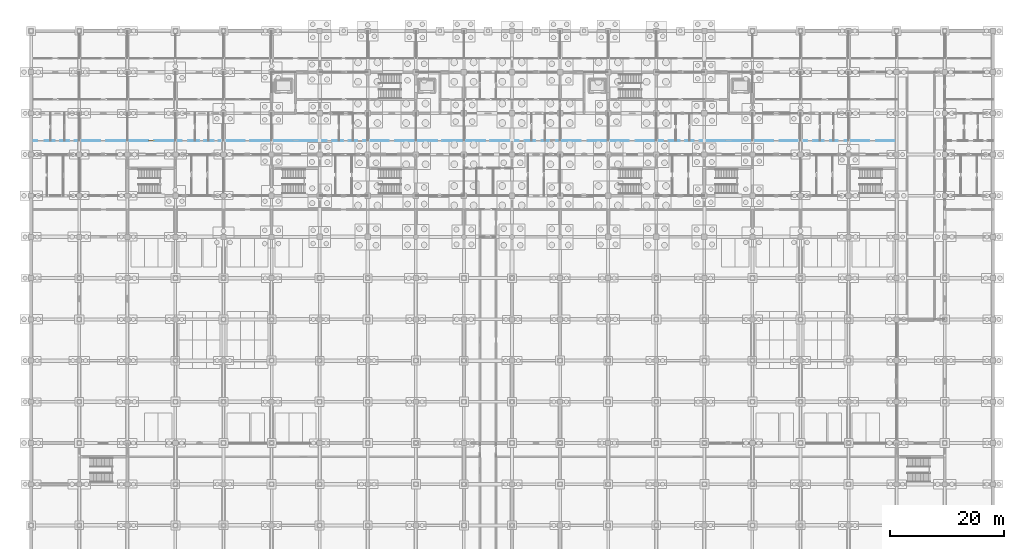
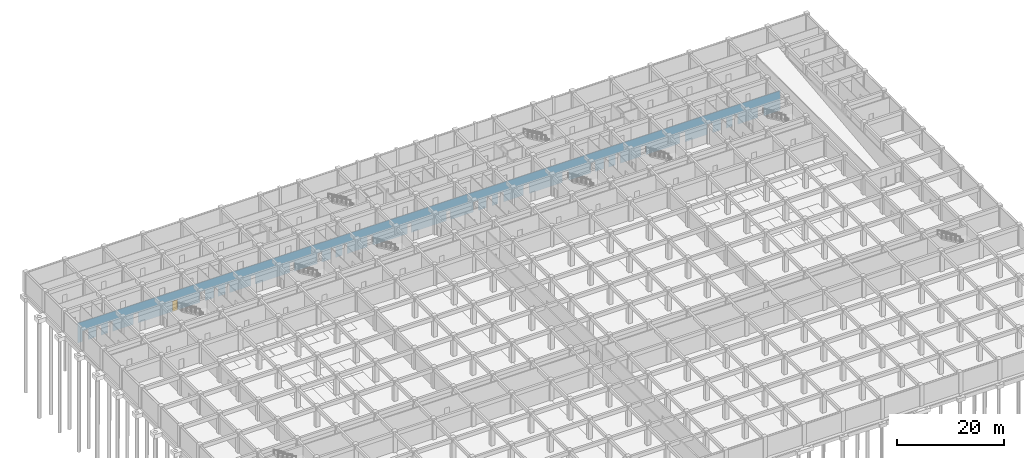
# One storey, part 45 of 85: 1 door, 30 openings, plus 1 element that does not belong to this part.
"""IFC4 building model written with IfcOpenShell, lengths in metres."""

from ifc_helpers import new_model, si_unit, direction, frame, frame_2d, origin, place, context, subcontext, project, spatial, rectangle, extrude, material, layer, layer_set, type_object, element, fill, save


model = new_model("IFC4")

# Units and contexts
model_context = context("Model", 3, precision=1e-05, world=origin(), true_north=direction((0.0, 1.0)))
body_context = subcontext(model_context, "Body", "Model", "MODEL_VIEW")
ifc_project = project(units=[si_unit("LENGTHUNIT", "METRE"), si_unit("AREAUNIT", "SQUARE_METRE"), si_unit("VOLUMEUNIT", "CUBIC_METRE"), si_unit("PLANEANGLEUNIT", "RADIAN"), si_unit("MASSUNIT", "GRAM", prefix="KILO")], contexts=[model_context])

# Site, building, storey
site_placement = place(None, origin())
site = spatial("IfcSite", under=ifc_project, at=site_placement, CompositionType="ELEMENT")
building_placement = place(site_placement, origin())
building = spatial("IfcBuilding", under=site, at=building_placement, Name="Chengyuan Square Courthouse", CompositionType="ELEMENT")
storey_placement = place(building_placement, frame((0.0, 0.0, -10.199951171875)))
storey = spatial("IfcBuildingStorey", under=building, at=storey_placement, Name="B02", CompositionType="ELEMENT", Elevation=-10.199951171875)

# Wall, openings, door
ifc_material_1 = material(Name="Gypsum Plasterboard Acoustic Stud Partition")
ifc_layer = layer(ifc_material_1, 0.10009765625)
ifc_layer_set = layer_set([ifc_layer], Name="Gypsum Plasterboard Acoustic Stud Partition")
wall_type = type_object("IfcWallType", Name="WL-PT6", PredefinedType="STANDARD", material=ifc_layer_set)
wall_placement = place(storey_placement, frame((0.0400390625, 96.0, 0.0), z_axis=(0.0, 0.0, 1.0), x_axis=(1.0, 0.0, 0.0)))
wall = element("IfcWall", 1, at=wall_placement, inside=storey, type_object=wall_type, Name="Interior Wall WL-B02-I062", PredefinedType="STANDARD", context=body_context, shape_type="SweptSolid", body=[
    extrude(rectangle(XDim=151.159912109375, YDim=0.10009765625, at=frame_2d((75.580078125, 0.0))), origin(), (0.0, 0.0, 1.0), 4.47998046875),
])
opening_1_placement = place(wall_placement, frame((1.0400390625, 0.0, 0.0)))
element("IfcOpeningElement", 2, at=opening_1_placement, cuts=wall, Name="Opening DR-148", PredefinedType="OPENING", context=body_context, shape_type="SweptSolid", body=[
    extrude(rectangle(XDim=1.280029296875, YDim=2.35009765625, at=frame_2d((0.64013671875, 1.175048828125))), frame((0.0, 0.06201171875, 0.0), z_axis=(0.0, -1.0, 0.0), x_axis=(1.0, 0.0, 0.0)), (0.0, 0.0, 1.0), 0.1240234375),
])
opening_2_placement = place(wall_placement, frame((4.090087890625, 0.0, 0.0)))
element("IfcOpeningElement", 3, at=opening_2_placement, cuts=wall, Name="Opening DR-149", PredefinedType="OPENING", context=body_context, shape_type="SweptSolid", body=[
    extrude(rectangle(XDim=0.93994140625, YDim=2.300048828125, at=frame_2d((0.469970703125, 1.14990234375))), frame((0.0, 0.06201171875, 0.0), z_axis=(0.0, -1.0, 0.0), x_axis=(1.0, 0.0, 0.0)), (0.0, 0.0, 1.0), 0.1240234375),
])
opening_3_placement = place(wall_placement, frame((6.570068359375, 0.0, 0.0)))
element("IfcOpeningElement", 4, at=opening_3_placement, cuts=wall, Name="Opening DR-150", PredefinedType="OPENING", context=body_context, shape_type="SweptSolid", body=[
    extrude(rectangle(XDim=0.97998046875, YDim=2.35009765625, at=frame_2d((0.489990234375, 1.175048828125))), frame((0.0, 0.06201171875, 0.0), z_axis=(0.0, -1.0, 0.0), x_axis=(1.0, 0.0, 0.0)), (0.0, 0.0, 1.0), 0.1240234375),
])
opening_4_placement = place(wall_placement, frame((12.050048828125, 0.0, 0.0)))
element("IfcOpeningElement", 5, at=opening_4_placement, cuts=wall, Name="Opening DR-151", PredefinedType="OPENING", context=body_context, shape_type="SweptSolid", body=[
    extrude(rectangle(XDim=1.02001953125, YDim=2.39990234375, at=frame_2d((0.510009765625, 1.199951171875))), frame((0.0, 0.06201171875, 0.0), z_axis=(0.0, -1.0, 0.0), x_axis=(1.0, 0.0, 0.0)), (0.0, 0.0, 1.0), 0.1240234375),
])
opening_5_placement = place(wall_placement, frame((20.429931640625, 0.0, 0.0)))
opening_5 = element("IfcOpeningElement", 6, at=opening_5_placement, cuts=wall, Name="Opening DR-152", PredefinedType="OPENING", context=body_context, shape_type="SweptSolid", body=[
    extrude(rectangle(XDim=1.06005859375, YDim=2.39990234375, at=frame_2d((0.530029296875, 1.199951171875))), frame((0.0, 0.06201171875, 0.0), z_axis=(0.0, -1.0, 0.0), x_axis=(1.0, 0.0, 0.0)), (0.0, 0.0, 1.0), 0.1240234375),
])
opening_6_placement = place(wall_placement, frame((26.2900390625, 0.0, 0.0)))
element("IfcOpeningElement", 7, at=opening_6_placement, cuts=wall, Name="Opening DR-153", PredefinedType="OPENING", context=body_context, shape_type="SweptSolid", body=[
    extrude(rectangle(XDim=1.139892578125, YDim=2.39990234375, at=frame_2d((0.56982421875, 1.199951171875))), frame((0.0, 0.06201171875, 0.0), z_axis=(0.0, -1.0, 0.0), x_axis=(1.0, 0.0, 0.0)), (0.0, 0.0, 1.0), 0.1240234375),
])
opening_7_placement = place(wall_placement, frame((29.31005859375, 0.0, 0.0)))
element("IfcOpeningElement", 8, at=opening_7_placement, cuts=wall, Name="Opening DR-154", PredefinedType="OPENING", context=body_context, shape_type="SweptSolid", body=[
    extrude(rectangle(XDim=0.89990234375, YDim=2.14990234375, at=frame_2d((0.449951171875, 1.074951171875))), frame((0.0, 0.06201171875, 0.0), z_axis=(0.0, -1.0, 0.0), x_axis=(1.0, 0.0, 0.0)), (0.0, 0.0, 1.0), 0.1240234375),
])
opening_8_placement = place(wall_placement, frame((31.830078125, 0.0, 0.0)))
element("IfcOpeningElement", 9, at=opening_8_placement, cuts=wall, Name="Opening DR-155", PredefinedType="OPENING", context=body_context, shape_type="SweptSolid", body=[
    extrude(rectangle(XDim=0.860107421875, YDim=2.10009765625, at=frame_2d((0.43017578125, 1.050048828125))), frame((0.0, 0.06201171875, 0.0), z_axis=(0.0, -1.0, 0.0), x_axis=(1.0, 0.0, 0.0)), (0.0, 0.0, 1.0), 0.1240234375),
])
opening_9_placement = place(wall_placement, frame((37.300048828125, 0.0, 0.0)))
element("IfcOpeningElement", 10, at=opening_9_placement, cuts=wall, Name="Opening DR-156", PredefinedType="OPENING", context=body_context, shape_type="SweptSolid", body=[
    extrude(rectangle(XDim=0.919921875, YDim=2.14990234375, at=frame_2d((0.4599609375, 1.074951171875))), frame((0.0, 0.06201171875, 0.0), z_axis=(0.0, -1.0, 0.0), x_axis=(1.0, 0.0, 0.0)), (0.0, 0.0, 1.0), 0.1240234375),
])
opening_10_placement = place(wall_placement, frame((45.679931640625, 0.0, 0.0)))
element("IfcOpeningElement", 11, at=opening_10_placement, cuts=wall, Name="Opening DR-157", PredefinedType="OPENING", context=body_context, shape_type="SweptSolid", body=[
    extrude(rectangle(XDim=0.9599609375, YDim=2.199951171875, at=frame_2d((0.47998046875, 1.10009765625))), frame((0.0, 0.06201171875, 0.0), z_axis=(0.0, -1.0, 0.0), x_axis=(1.0, 0.0, 0.0)), (0.0, 0.0, 1.0), 0.1240234375),
])
opening_11_placement = place(wall_placement, frame((51.570068359375, 0.0, 0.0)))
element("IfcOpeningElement", 12, at=opening_11_placement, cuts=wall, Name="Opening DR-167", PredefinedType="OPENING", context=body_context, shape_type="SweptSolid", body=[
    extrude(rectangle(XDim=0.97998046875, YDim=2.35009765625, at=frame_2d((0.489990234375, 1.175048828125))), frame((0.0, 0.06201171875, 0.0), z_axis=(0.0, -1.0, 0.0), x_axis=(1.0, 0.0, 0.0)), (0.0, 0.0, 1.0), 0.1240234375),
])
opening_12_placement = place(wall_placement, frame((54.449951171875, 0.0, 0.0)))
element("IfcOpeningElement", 13, at=opening_12_placement, cuts=wall, Name="Opening DR-168", PredefinedType="OPENING", context=body_context, shape_type="SweptSolid", body=[
    extrude(rectangle(XDim=1.02001953125, YDim=2.39990234375, at=frame_2d((0.510009765625, 1.199951171875))), frame((0.0, 0.06201171875, 0.0), z_axis=(0.0, -1.0, 0.0), x_axis=(1.0, 0.0, 0.0)), (0.0, 0.0, 1.0), 0.1240234375),
])
opening_13_placement = place(wall_placement, frame((56.929931640625, 0.0, 0.0)))
element("IfcOpeningElement", 14, at=opening_13_placement, cuts=wall, Name="Opening DR-169", PredefinedType="OPENING", context=body_context, shape_type="SweptSolid", body=[
    extrude(rectangle(XDim=1.06005859375, YDim=2.39990234375, at=frame_2d((0.530029296875, 1.199951171875))), frame((0.0, 0.06201171875, 0.0), z_axis=(0.0, -1.0, 0.0), x_axis=(1.0, 0.0, 0.0)), (0.0, 0.0, 1.0), 0.1240234375),
])
opening_14_placement = place(wall_placement, frame((62.389892578125, 0.0, 0.0)))
element("IfcOpeningElement", 15, at=opening_14_placement, cuts=wall, Name="Opening DR-170", PredefinedType="OPENING", context=body_context, shape_type="SweptSolid", body=[
    extrude(rectangle(XDim=1.139892578125, YDim=2.39990234375, at=frame_2d((0.56982421875, 1.199951171875))), frame((0.0, 0.06201171875, 0.0), z_axis=(0.0, -1.0, 0.0), x_axis=(1.0, 0.0, 0.0)), (0.0, 0.0, 1.0), 0.1240234375),
])
opening_15_placement = place(wall_placement, frame((70.909912109375, 0.0, 0.0)))
element("IfcOpeningElement", 16, at=opening_15_placement, cuts=wall, Name="Opening DR-171", PredefinedType="OPENING", context=body_context, shape_type="SweptSolid", body=[
    extrude(rectangle(XDim=0.89990234375, YDim=2.14990234375, at=frame_2d((0.449951171875, 1.074951171875))), frame((0.0, 0.06201171875, 0.0), z_axis=(0.0, -1.0, 0.0), x_axis=(1.0, 0.0, 0.0)), (0.0, 0.0, 1.0), 0.1240234375),
])
opening_16_placement = place(wall_placement, frame((79.330078125, 0.0, 0.0)))
element("IfcOpeningElement", 17, at=opening_16_placement, cuts=wall, Name="Opening DR-172", PredefinedType="OPENING", context=body_context, shape_type="SweptSolid", body=[
    extrude(rectangle(XDim=0.860107421875, YDim=2.10009765625, at=frame_2d((0.43017578125, 1.050048828125))), frame((0.0, 0.06201171875, 0.0), z_axis=(0.0, -1.0, 0.0), x_axis=(1.0, 0.0, 0.0)), (0.0, 0.0, 1.0), 0.1240234375),
])
opening_17_placement = place(wall_placement, frame((85.10009765625, 0.0, 0.0)))
element("IfcOpeningElement", 18, at=opening_17_placement, cuts=wall, Name="Opening DR-178", PredefinedType="OPENING", context=body_context, shape_type="SweptSolid", body=[
    extrude(rectangle(XDim=1.1201171875, YDim=2.25, at=frame_2d((0.56005859375, 1.125))), frame((0.0, 0.06201171875, 0.0), z_axis=(0.0, -1.0, 0.0), x_axis=(1.0, 0.0, 0.0)), (0.0, 0.0, 1.0), 0.1240234375),
])
opening_18_placement = place(wall_placement, frame((87.97998046875, 0.0, 0.0)))
element("IfcOpeningElement", 19, at=opening_18_placement, cuts=wall, Name="Opening DR-179", PredefinedType="OPENING", context=body_context, shape_type="SweptSolid", body=[
    extrude(rectangle(XDim=1.159912109375, YDim=2.300048828125, at=frame_2d((0.580078125, 1.14990234375))), frame((0.0, 0.06201171875, 0.0), z_axis=(0.0, -1.0, 0.0), x_axis=(1.0, 0.0, 0.0)), (0.0, 0.0, 1.0), 0.1240234375),
])
opening_19_placement = place(wall_placement, frame((90.4599609375, 0.0, 0.0)))
element("IfcOpeningElement", 20, at=opening_19_placement, cuts=wall, Name="Opening DR-180", PredefinedType="OPENING", context=body_context, shape_type="SweptSolid", body=[
    extrude(rectangle(XDim=1.199951171875, YDim=2.35009765625, at=frame_2d((0.60009765625, 1.175048828125))), frame((0.0, 0.06201171875, 0.0), z_axis=(0.0, -1.0, 0.0), x_axis=(1.0, 0.0, 0.0)), (0.0, 0.0, 1.0), 0.1240234375),
])
opening_20_placement = place(wall_placement, frame((95.93994140625, 0.0, 0.0)))
element("IfcOpeningElement", 21, at=opening_20_placement, cuts=wall, Name="Opening DR-181", PredefinedType="OPENING", context=body_context, shape_type="SweptSolid", body=[
    extrude(rectangle(XDim=1.239990234375, YDim=2.300048828125, at=frame_2d((0.6201171875, 1.14990234375))), frame((0.0, 0.06201171875, 0.0), z_axis=(0.0, -1.0, 0.0), x_axis=(1.0, 0.0, 0.0)), (0.0, 0.0, 1.0), 0.1240234375),
])
opening_21_placement = place(wall_placement, frame((104.320068359375, 0.0, 0.0)))
element("IfcOpeningElement", 22, at=opening_21_placement, cuts=wall, Name="Opening DR-182", PredefinedType="OPENING", context=body_context, shape_type="SweptSolid", body=[
    extrude(rectangle(XDim=1.280029296875, YDim=2.35009765625, at=frame_2d((0.64013671875, 1.175048828125))), frame((0.0, 0.06201171875, 0.0), z_axis=(0.0, -1.0, 0.0), x_axis=(1.0, 0.0, 0.0)), (0.0, 0.0, 1.0), 0.1240234375),
])
opening_22_placement = place(wall_placement, frame((110.389892578125, 0.0, 0.0)))
element("IfcOpeningElement", 23, at=opening_22_placement, cuts=wall, Name="Opening DR-183", PredefinedType="OPENING", context=body_context, shape_type="SweptSolid", body=[
    extrude(rectangle(XDim=0.93994140625, YDim=2.300048828125, at=frame_2d((0.469970703125, 1.14990234375))), frame((0.0, 0.06201171875, 0.0), z_axis=(0.0, -1.0, 0.0), x_axis=(1.0, 0.0, 0.0)), (0.0, 0.0, 1.0), 0.1240234375),
])
opening_23_placement = place(wall_placement, frame((113.27001953125, 0.0, 0.0)))
element("IfcOpeningElement", 24, at=opening_23_placement, cuts=wall, Name="Opening DR-184", PredefinedType="OPENING", context=body_context, shape_type="SweptSolid", body=[
    extrude(rectangle(XDim=0.97998046875, YDim=2.35009765625, at=frame_2d((0.489990234375, 1.175048828125))), frame((0.0, 0.06201171875, 0.0), z_axis=(0.0, -1.0, 0.0), x_axis=(1.0, 0.0, 0.0)), (0.0, 0.0, 1.0), 0.1240234375),
])
opening_24_placement = place(wall_placement, frame((115.75, 0.0, 0.0)))
element("IfcOpeningElement", 25, at=opening_24_placement, cuts=wall, Name="Opening DR-185", PredefinedType="OPENING", context=body_context, shape_type="SweptSolid", body=[
    extrude(rectangle(XDim=1.02001953125, YDim=2.39990234375, at=frame_2d((0.510009765625, 1.199951171875))), frame((0.0, 0.06201171875, 0.0), z_axis=(0.0, -1.0, 0.0), x_axis=(1.0, 0.0, 0.0)), (0.0, 0.0, 1.0), 0.1240234375),
])
opening_25_placement = place(wall_placement, frame((121.239990234375, 0.0, 0.0)))
element("IfcOpeningElement", 26, at=opening_25_placement, cuts=wall, Name="Opening DR-193", PredefinedType="OPENING", context=body_context, shape_type="SweptSolid", body=[
    extrude(rectangle(XDim=1.0400390625, YDim=2.199951171875, at=frame_2d((0.52001953125, 1.10009765625))), frame((0.0, 0.06201171875, 0.0), z_axis=(0.0, -1.0, 0.0), x_axis=(1.0, 0.0, 0.0)), (0.0, 0.0, 1.0), 0.1240234375),
])
opening_26_placement = place(wall_placement, frame((129.6201171875, 0.0, 0.0)))
element("IfcOpeningElement", 27, at=opening_26_placement, cuts=wall, Name="Opening DR-194", PredefinedType="OPENING", context=body_context, shape_type="SweptSolid", body=[
    extrude(rectangle(XDim=1.080078125, YDim=2.25, at=frame_2d((0.5400390625, 1.125))), frame((0.0, 0.06201171875, 0.0), z_axis=(0.0, -1.0, 0.0), x_axis=(1.0, 0.0, 0.0)), (0.0, 0.0, 1.0), 0.1240234375),
])
opening_27_placement = place(wall_placement, frame((135.5, 0.0, 0.0)))
element("IfcOpeningElement", 28, at=opening_27_placement, cuts=wall, Name="Opening DR-195", PredefinedType="OPENING", context=body_context, shape_type="SweptSolid", body=[
    extrude(rectangle(XDim=1.1201171875, YDim=2.25, at=frame_2d((0.56005859375, 1.125))), frame((0.0, 0.06201171875, 0.0), z_axis=(0.0, -1.0, 0.0), x_axis=(1.0, 0.0, 0.0)), (0.0, 0.0, 1.0), 0.1240234375),
])
opening_28_placement = place(wall_placement, frame((138.3798828125, 0.0, 0.0)))
element("IfcOpeningElement", 29, at=opening_28_placement, cuts=wall, Name="Opening DR-196", PredefinedType="OPENING", context=body_context, shape_type="SweptSolid", body=[
    extrude(rectangle(XDim=1.159912109375, YDim=2.300048828125, at=frame_2d((0.580078125, 1.14990234375))), frame((0.0, 0.06201171875, 0.0), z_axis=(0.0, -1.0, 0.0), x_axis=(1.0, 0.0, 0.0)), (0.0, 0.0, 1.0), 0.1240234375),
])
opening_29_placement = place(wall_placement, frame((140.860107421875, 0.0, 0.0)))
element("IfcOpeningElement", 30, at=opening_29_placement, cuts=wall, Name="Opening DR-197", PredefinedType="OPENING", context=body_context, shape_type="SweptSolid", body=[
    extrude(rectangle(XDim=1.199951171875, YDim=2.35009765625, at=frame_2d((0.60009765625, 1.175048828125))), frame((0.0, 0.06201171875, 0.0), z_axis=(0.0, -1.0, 0.0), x_axis=(1.0, 0.0, 0.0)), (0.0, 0.0, 1.0), 0.1240234375),
])
opening_30_placement = place(wall_placement, frame((146.340087890625, 0.0, 0.0)))
element("IfcOpeningElement", 31, at=opening_30_placement, cuts=wall, Name="Opening DR-198", PredefinedType="OPENING", context=body_context, shape_type="SweptSolid", body=[
    extrude(rectangle(XDim=1.239990234375, YDim=2.300048828125, at=frame_2d((0.6201171875, 1.14990234375))), frame((0.0, 0.06201171875, 0.0), z_axis=(0.0, -1.0, 0.0), x_axis=(1.0, 0.0, 0.0)), (0.0, 0.0, 1.0), 0.1240234375),
])
ifc_material_2 = material(Name="Acoustic Solid-Core Timber Door", Category="wood")
door_type = type_object("IfcDoorType", Name="DT-42", OperationType="NOTDEFINED", PredefinedType="DOOR", material=ifc_material_2)
door_placement = place(opening_5_placement, origin())
door = element("IfcDoor", 32, at=door_placement, inside=storey, type_object=door_type, Name="Interior Door DR-152", OperationType="SINGLE_SWING_LEFT", OverallHeight=2.39990234375, OverallWidth=1.06005859375, PredefinedType="DOOR", context=body_context, shape_type="SweptSolid", body=[
    extrude(rectangle(XDim=1.06005859375, YDim=2.39990234375, at=frame_2d((0.530029296875, 1.199951171875))), frame((0.0, 0.02490234375, 0.0), z_axis=(0.0, -1.0, 0.0), x_axis=(1.0, 0.0, 0.0)), (0.0, 0.0, 1.0), 0.050048828125),
])
fill(opening_5, door)

save(model, "model.ifc")
